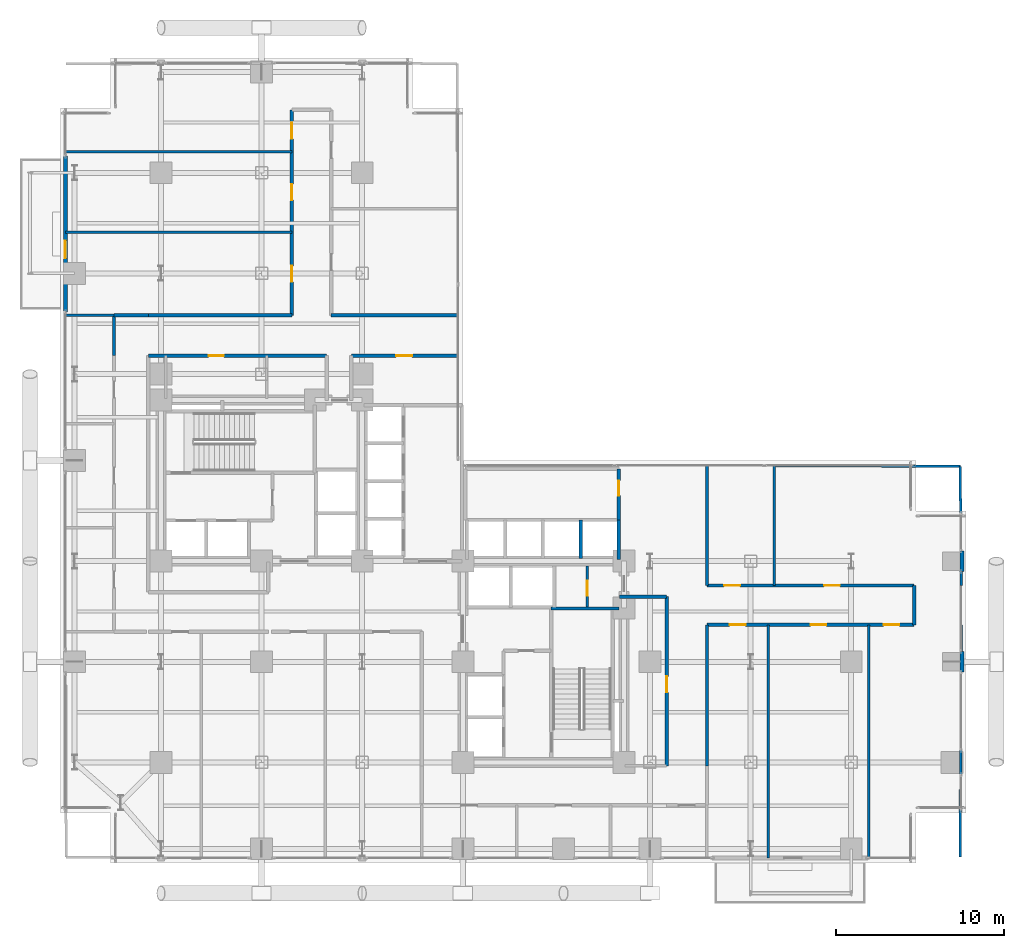
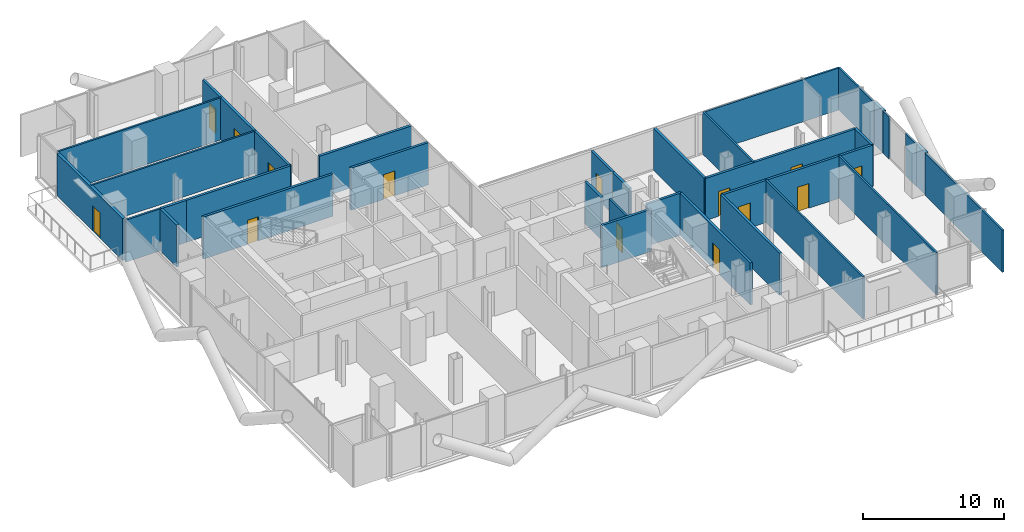
# One storey, part 23 of 27: 33 walls, 14 doors, 14 openings.
"""IFC4 building model written with IfcOpenShell, lengths in metres."""

import ifcopenshell
import ifcopenshell.guid

model = None  # the IFC model being written
_history = None  # IfcOwnerHistory: only IFC2X3 demands one
_inside = {}  # id of a spatial element -> (the spatial element, [elements in it])
_under = {}  # id of a project, library or spatial element -> (it, [spatial elements below it])
_declared = {}  # id of a project -> (the project, [libraries it declares])
_typed = {}  # id of a type object -> (the type object, [elements of that type])
_made_of = {}  # id of a material, layer set ... -> (it, [elements and type objects made of it])


def new_model(schema):
    """Start an empty IFC model of exactly this schema.

    Asked for "IFC4X3", IfcOpenShell would pick the latest addendum, in which some entities
    have other attributes; the version numbers below select the first issue.
    IFC2X3 requires an IfcOwnerHistory on every rooted entity: one is made here for all.
    """
    global model, _history
    if schema == "IFC4X3":
        model = ifcopenshell.file(schema_version=(4, 3, 0, 0))
    else:
        model = ifcopenshell.file(schema=schema)
    _inside.clear()
    _under.clear()
    _declared.clear()
    _typed.clear()
    _made_of.clear()
    _history = None
    if model.schema == "IFC2X3":
        org = make("IfcOrganization", Name="unknown")
        user = make(
            "IfcPersonAndOrganization",
            ThePerson=make("IfcPerson", FamilyName="unknown"),
            TheOrganization=org,
        )
        app = make(
            "IfcApplication",
            ApplicationDeveloper=org,
            Version="unknown",
            ApplicationFullName="unknown",
            ApplicationIdentifier="unknown",
        )
        _history = make(
            "IfcOwnerHistory",
            OwningUser=user,
            OwningApplication=app,
            ChangeAction="ADDED",
            CreationDate=0,
        )
    return model


def make(cls, **values):
    """One entity of the class cls with the attributes given. An attribute that is None is left unset."""
    return model.create_entity(
        cls, **{name: value for name, value in values.items() if value is not None}
    )


def rooted(cls, **values):
    """An entity with a GlobalId (a new one), such as an element, a storey or a relation."""
    return make(cls, GlobalId=ifcopenshell.guid.new(), OwnerHistory=_history, **values)


def si_unit(unit_type, name, prefix=None):
    """IfcSIUnit, for example si_unit("LENGTHUNIT", "METRE", prefix="MILLI")."""
    return make("IfcSIUnit", UnitType=unit_type, Prefix=prefix, Name=name)


def assignment(units):
    """IfcUnitAssignment: the units of a project."""
    return None if units is None else make("IfcUnitAssignment", Units=units)


def point(xyz):
    """IfcCartesianPoint."""
    return None if xyz is None else make("IfcCartesianPoint", Coordinates=xyz)


def direction(xyz):
    """IfcDirection."""
    return None if xyz is None else make("IfcDirection", DirectionRatios=xyz)


def frame(location, z_axis=None, x_axis=None):
    """IfcAxis2Placement3D, a coordinate frame: its origin and axes. An axis left out is left unset."""
    return make(
        "IfcAxis2Placement3D",
        Location=point(location),
        Axis=direction(z_axis),
        RefDirection=direction(x_axis),
    )


def frame_2d(location, x_axis=None):
    """IfcAxis2Placement2D, a coordinate frame in the plane: its origin and x axis."""
    return make(
        "IfcAxis2Placement2D", Location=point(location), RefDirection=direction(x_axis)
    )


def origin():
    """The frame at (0, 0, 0) with its axes left unset."""
    return frame((0.0, 0.0, 0.0))


def place(relative_to, where):
    """IfcLocalPlacement: puts the frame where relative to a parent placement (None: the world)."""
    return make(
        "IfcLocalPlacement", PlacementRelTo=relative_to, RelativePlacement=where
    )


def context(
    kind, dimensions, precision=None, world=None, true_north=None, identifier=None
):
    """IfcGeometricRepresentationContext, for example the 3D "Model" context."""
    return make(
        "IfcGeometricRepresentationContext",
        ContextIdentifier=identifier,
        ContextType=kind,
        CoordinateSpaceDimension=dimensions,
        Precision=precision,
        WorldCoordinateSystem=world,
        TrueNorth=true_north,
    )


def subcontext(parent, identifier, kind, view, scale=None):
    """IfcGeometricRepresentationSubContext, for example "Body" below "Model"."""
    return make(
        "IfcGeometricRepresentationSubContext",
        ContextIdentifier=identifier,
        ContextType=kind,
        ParentContext=parent,
        TargetScale=scale,
        TargetView=view,
    )


def project(units=None, contexts=None):
    """IfcProject with its units and contexts."""
    return rooted(
        "IfcProject",
        Name="project",
        RepresentationContexts=contexts,
        UnitsInContext=assignment(units),
    )


def spatial(cls, under=None, at=None, **own):
    """A site, building, storey or space (cls), placed at a placement, below another one or the project."""
    s = rooted(cls, ObjectPlacement=at, **own)
    if under is not None:
        _under.setdefault(under.id(), (under, []))[1].append(s)
    return s


def profile(cls, at=None, kind="AREA", **sizes):
    """A parametric profile (cls). Its sizes go by their IFC names, for example OverallWidth=200.0."""
    return make(cls, ProfileType=kind, Position=at, **sizes)


def rectangle(**sizes):
    """IfcRectangleProfileDef."""
    return profile("IfcRectangleProfileDef", **sizes)


def extrude(swept, where, along, depth):
    """IfcExtrudedAreaSolid: the profile swept, set in the frame where, extruded along a direction by depth."""
    return make(
        "IfcExtrudedAreaSolid",
        SweptArea=swept,
        Position=where,
        ExtrudedDirection=direction(along),
        Depth=depth,
    )


def shape(context_of_items, identifier, shape_type, items):
    """IfcShapeRepresentation: the items that make up one representation, for example the "Body"."""
    return make(
        "IfcShapeRepresentation",
        ContextOfItems=context_of_items,
        RepresentationIdentifier=identifier,
        RepresentationType=shape_type,
        Items=items,
    )


def material(Name=None, Category=None):
    """IfcMaterial."""
    return make("IfcMaterial", Name=Name, Category=Category)


def layer(
    of_material, thickness, ventilated=None, Name=None, Category=None, Priority=None
):
    """IfcMaterialLayer: one layer of a wall or slab, of a material (None: an air gap)."""
    return make(
        "IfcMaterialLayer",
        Material=of_material,
        LayerThickness=thickness,
        IsVentilated=ventilated,
        Name=Name,
        Category=Category,
        Priority=Priority,
    )


def layer_set(layers, Name=None):
    """IfcMaterialLayerSet."""
    return make("IfcMaterialLayerSet", MaterialLayers=layers, LayerSetName=Name)


def made_of(thing, what):
    """Note that an element or type object is made of a material, layer set ...; save() writes the relation."""
    if what is not None:
        _made_of.setdefault(what.id(), (what, []))[1].append(thing)
    return thing


def type_object(cls, material=None, **own):
    """A type object (cls), such as IfcWallType, which elements share."""
    return made_of(rooted(cls, **own), material)


def element(
    cls,
    number,
    at=None,
    inside=None,
    cuts=None,
    type_object=None,
    material=None,
    context=None,
    identifier="Body",
    shape_type=None,
    held_by="IfcProductDefinitionShape",
    body=None,
    shapes=None,
    **own,
):
    """One element of the class cls, such as IfcWall. Its Tag is "e" and its number.

    at: its placement. inside: the storey or other place that contains it. cuts: it is an
    opening in that element (IfcRelVoidsElement). A single representation is given by context,
    identifier, shape_type and body (its items); several are given by shapes. held_by: the class
    of the entity that holds the representations. save() writes the other relations.
    """
    e = rooted(cls, Tag="e%d" % number, ObjectPlacement=at, **own)
    if body is not None:
        shapes = [shape(context, identifier, shape_type, body)]
    if shapes is not None:
        e.Representation = make(held_by, Representations=shapes)
    if inside is not None:
        _inside.setdefault(inside.id(), (inside, []))[1].append(e)
    if cuts is not None:
        rooted(
            "IfcRelVoidsElement", RelatingBuildingElement=cuts, RelatedOpeningElement=e
        )
    if type_object is not None:
        _typed.setdefault(type_object.id(), (type_object, []))[1].append(e)
    return made_of(e, material)


def fill(opening, filler):
    """IfcRelFillsElement: the door or window that sits in an opening."""
    return rooted(
        "IfcRelFillsElement",
        RelatingOpeningElement=opening,
        RelatedBuildingElement=filler,
    )


def aggregate(whole, parts):
    """IfcRelAggregates: a whole, such as a stair, and the parts it consists of."""
    return rooted("IfcRelAggregates", RelatingObject=whole, RelatedObjects=parts)


def save(model, path):
    """Write the relations noted so far, then the file.

    IfcRelAggregates (storeys below a building ...), IfcRelContainedInSpatialStructure (elements
    in a storey), IfcRelDefinesByType, IfcRelAssociatesMaterial and IfcRelDeclares: one each for
    every whole, place, type object, material and project.
    """
    for whole, parts in _under.values():
        aggregate(whole, parts)
    for where, things in _inside.values():
        rooted(
            "IfcRelContainedInSpatialStructure",
            RelatedElements=things,
            RelatingStructure=where,
        )
    for kind, things in _typed.values():
        rooted("IfcRelDefinesByType", RelatedObjects=things, RelatingType=kind)
    for what, things in _made_of.values():
        rooted("IfcRelAssociatesMaterial", RelatedObjects=things, RelatingMaterial=what)
    for by, libraries in _declared.values():
        rooted("IfcRelDeclares", RelatingContext=by, RelatedDefinitions=libraries)
    model.write(path)


model = new_model("IFC4")

# Units and contexts
model_context = context("Model", 3, precision=1e-05, world=origin(), true_north=direction((0.0, 1.0)))
body_context = subcontext(model_context, "Body", "Model", "MODEL_VIEW")
ifc_project = project(units=[si_unit("LENGTHUNIT", "METRE"), si_unit("AREAUNIT", "SQUARE_METRE"), si_unit("VOLUMEUNIT", "CUBIC_METRE"), si_unit("PLANEANGLEUNIT", "RADIAN"), si_unit("MASSUNIT", "GRAM", prefix="KILO"), si_unit("THERMODYNAMICTEMPERATUREUNIT", "KELVIN"), si_unit("POWERUNIT", "WATT")], contexts=[model_context])

# Site, building, storey
site_placement = place(None, origin())
site = spatial("IfcSite", under=ifc_project, at=site_placement, CompositionType="ELEMENT")
building_placement = place(site_placement, origin())
building = spatial("IfcBuilding", under=site, at=building_placement, Name="Svarakhadi Broadcast Tower", CompositionType="ELEMENT")
storey_placement = place(building_placement, frame((0.0, 0.0, 59.699951171875)))
storey = spatial("IfcBuildingStorey", under=building, at=storey_placement, Name="L13", CompositionType="ELEMENT", Elevation=59.699951171875)

# Wall, opening, door
ifc_material_1 = material(Name="Concrete C40/50 (IS 456 M50)", Category="concrete")
ifc_layer_1 = layer(ifc_material_1, 0.239990234375)
ifc_layer_set_1 = layer_set([ifc_layer_1], Name="Concrete C40/50 (IS 456 M50)")
wall_type_1 = type_object("IfcWallType", Name="Wall_Ext_240", PredefinedType="SOLIDWALL", material=ifc_layer_set_1)
wall_1_placement = place(storey_placement, frame((0.300048828125, 32.85498046875, 0.0), z_axis=(0.0, 0.0, 1.0), x_axis=(0.0, 1.0, 0.0)))
wall_1 = element("IfcWall", 1, at=wall_1_placement, inside=storey, type_object=wall_type_1, Name="L13 West Tree Balcony Spandrel Wall", PredefinedType="SOLIDWALL", context=body_context, shape_type="SweptSolid", body=[
    extrude(rectangle(XDim=9.2900390625, YDim=0.239990234375, at=frame_2d((4.64501953125, 0.0))), origin(), (0.0, 0.0, 1.0), 3.650146484375),
])
opening_1_placement = place(wall_1_placement, frame((3.199951171875, 0.0, 0.0)))
opening_1 = element("IfcOpeningElement", 2, at=opening_1_placement, cuts=wall_1, Name="Opening ED-06", PredefinedType="OPENING", context=body_context, shape_type="SweptSolid", body=[
    extrude(rectangle(XDim=1.050048828125, YDim=2.199951171875, at=frame_2d((0.52490234375, 1.10009765625))), frame((0.0, 0.1298828125, 0.0), z_axis=(0.0, -1.0, 0.0), x_axis=(1.0, 0.0, 0.0)), (0.0, 0.0, 1.0), 0.260009765625),
])
ifc_material_2 = material(Name="Anodised Bronze Aluminium AA 6063-T6", Category="aluminium")
door_type_1 = type_object("IfcDoorType", Name="Door_Ext_ED06", OperationType="SINGLE_SWING_RIGHT", PredefinedType="DOOR", material=ifc_material_2)
door_1_placement = place(opening_1_placement, origin())
door_1 = element("IfcDoor", 3, at=door_1_placement, inside=storey, type_object=door_type_1, Name="L13 West Tree Balcony Door", OperationType="SINGLE_SWING_RIGHT", OverallHeight=2.199951171875, OverallWidth=1.050048828125, PredefinedType="DOOR", context=body_context, shape_type="SweptSolid", body=[
    extrude(rectangle(XDim=1.050048828125, YDim=2.199951171875, at=frame_2d((0.52490234375, 1.10009765625))), frame((0.0, 0.02490234375, 0.0), z_axis=(0.0, -1.0, 0.0), x_axis=(1.0, 0.0, 0.0)), (0.0, 0.0, 1.0), 0.050048828125),
])
fill(opening_1, door_1)

# Walls
for number, where, z_axis, x_axis, name in (
    (4, (53.760009765625, 18.614990234375, 0.0), (0.0, 0.0, 1.0), (0.0, -1.0, 0.0), "L13 Perimeter Bronze Spandrel Closure Wall 03"),
    (5, (53.760009765625, 12.614990234375, 0.0), (0.0, 0.0, 1.0), (0.0, -1.0, 0.0), "L13 Perimeter Bronze Spandrel Closure Wall 04"),
):
    element("IfcWall", number, at=place(storey_placement, frame(where, z_axis=z_axis, x_axis=x_axis)), inside=storey, type_object=wall_type_1, Name=name, PredefinedType="SOLIDWALL", context=body_context, shape_type="SweptSolid", body=[
        extrude(rectangle(XDim=1.22998046875, YDim=0.239990234375, at=frame_2d((0.614990234375, 0.0))), origin(), (0.0, 0.0, 1.0), 3.650146484375),
    ])

# Wall, opening, door
ifc_layer_2 = layer(ifc_material_1, 0.199951171875)
ifc_layer_set_2 = layer_set([ifc_layer_2], Name="Concrete C40/50 (IS 456 M50)")
wall_type_2 = type_object("IfcWallType", Name="Wall_Fire_200", PredefinedType="SOLIDWALL", material=ifc_layer_set_2)
wall_2_placement = place(storey_placement, frame((36.14990234375, 5.800048828125, 0.0), z_axis=(0.0, 0.0, 1.0), x_axis=(0.0, 1.0, 0.0)))
wall_2 = element("IfcWall", 6, at=wall_2_placement, inside=storey, type_object=wall_type_2, Name="L13 Broadcast Corridor Wall", PredefinedType="SOLIDWALL", context=body_context, shape_type="SweptSolid", body=[
    extrude(rectangle(XDim=10.079833984375, YDim=0.199951171875, at=frame_2d((5.0400390625, 0.0))), origin(), (0.0, 0.0, 1.0), 3.650146484375),
])
opening_2_placement = place(wall_2_placement, frame((4.3798828125, 0.0, 0.0)))
opening_2 = element("IfcOpeningElement", 7, at=opening_2_placement, cuts=wall_2, Name="Opening D-06", PredefinedType="OPENING", context=body_context, shape_type="SweptSolid", body=[
    extrude(rectangle(XDim=0.949951171875, YDim=2.14990234375, at=frame_2d((0.47509765625, 1.074951171875))), frame((0.0, 0.10986328125, 0.0), z_axis=(0.0, -1.0, 0.0), x_axis=(1.0, 0.0, 0.0)), (0.0, 0.0, 1.0), 0.219970703125),
])
ifc_material_3 = material(Name="Solid-Core Teak Veneer Acoustic Timber Leaf", Category="wood")
door_type_2 = type_object("IfcDoorType", Name="Door_Office_D06", OperationType="SINGLE_SWING_LEFT", PredefinedType="DOOR", material=ifc_material_3)
door_2_placement = place(opening_2_placement, origin())
door_2 = element("IfcDoor", 8, at=door_2_placement, inside=storey, type_object=door_type_2, Name="L13 Live Feed Monitoring Studio Door", OperationType="SINGLE_SWING_LEFT", OverallHeight=2.14990234375, OverallWidth=0.949951171875, PredefinedType="DOOR", context=body_context, shape_type="SweptSolid", body=[
    extrude(rectangle(XDim=0.949951171875, YDim=2.14990234375, at=frame_2d((0.47509765625, 1.074951171875))), frame((0.0, 0.02490234375, 0.0), z_axis=(0.0, -1.0, 0.0), x_axis=(1.0, 0.0, 0.0)), (0.0, 0.0, 1.0), 0.050048828125),
])
fill(opening_2, door_2)

# Walls
wall_3_placement = place(storey_placement, frame((36.14990234375, 15.8798828125, 0.0), z_axis=(0.0, 0.0, 1.0), x_axis=(-1.0, 0.0, 0.0)))
element("IfcWall", 9, at=wall_3_placement, inside=storey, type_object=wall_type_2, Name="L13 Broadcast Corridor Wall", PredefinedType="SOLIDWALL", context=body_context, shape_type="SweptSolid", body=[
    extrude(rectangle(XDim=2.809814453125, YDim=0.199951171875, at=frame_2d((1.40478515625, 0.0))), origin(), (0.0, 0.0, 1.0), 3.650146484375),
])
wall_4_placement = place(storey_placement, frame((38.550048828125, 23.699951171875, 0.0), z_axis=(0.0, 0.0, 1.0), x_axis=(0.0, -1.0, 0.0)))
element("IfcWall", 10, at=wall_4_placement, inside=storey, type_object=wall_type_2, Name="L13 Broadcast Corridor Wall", PredefinedType="SOLIDWALL", context=body_context, shape_type="SweptSolid", body=[
    extrude(rectangle(XDim=7.14990234375, YDim=0.199951171875, at=frame_2d((3.574951171875, 0.0))), origin(), (0.0, 0.0, 1.0), 3.650146484375),
])

# Wall, openings, doors
wall_5_placement = place(storey_placement, frame((38.550048828125, 16.550048828125, 0.0), z_axis=(0.0, 0.0, 1.0), x_axis=(1.0, 0.0, 0.0)))
wall_5 = element("IfcWall", 11, at=wall_5_placement, inside=storey, type_object=wall_type_2, Name="L13 Broadcast Corridor Wall", PredefinedType="SOLIDWALL", context=body_context, shape_type="SweptSolid", body=[
    extrude(rectangle(XDim=12.349853515625, YDim=0.199951171875, at=frame_2d((6.1748046875, 0.0))), origin(), (0.0, 0.0, 1.0), 3.650146484375),
])
opening_3_placement = place(wall_5_placement, frame((1.030029296875, 0.0, 0.0)))
opening_3 = element("IfcOpeningElement", 12, at=opening_3_placement, cuts=wall_5, Name="Opening D-06", PredefinedType="OPENING", context=body_context, shape_type="SweptSolid", body=[
    extrude(rectangle(XDim=0.949951171875, YDim=2.14990234375, at=frame_2d((0.47509765625, 1.074951171875))), frame((0.0, 0.10986328125, 0.0), z_axis=(0.0, -1.0, 0.0), x_axis=(1.0, 0.0, 0.0)), (0.0, 0.0, 1.0), 0.219970703125),
])
opening_4_placement = place(wall_5_placement, frame((6.97998046875, 0.0, 0.0)))
opening_4 = element("IfcOpeningElement", 13, at=opening_4_placement, cuts=wall_5, Name="Opening D-06", PredefinedType="OPENING", context=body_context, shape_type="SweptSolid", body=[
    extrude(rectangle(XDim=0.949951171875, YDim=2.14990234375, at=frame_2d((0.47509765625, 1.074951171875))), frame((0.0, 0.10986328125, 0.0), z_axis=(0.0, -1.0, 0.0), x_axis=(1.0, 0.0, 0.0)), (0.0, 0.0, 1.0), 0.219970703125),
])
door_3_placement = place(opening_3_placement, origin())
door_3 = element("IfcDoor", 14, at=door_3_placement, inside=storey, type_object=door_type_2, Name="L13 Broadcast Acoustic Booth Door", OperationType="SINGLE_SWING_LEFT", OverallHeight=2.14990234375, OverallWidth=0.949951171875, PredefinedType="DOOR", context=body_context, shape_type="SweptSolid", body=[
    extrude(rectangle(XDim=0.949951171875, YDim=2.14990234375, at=frame_2d((0.47509765625, 1.074951171875))), frame((0.0, 0.02490234375, 0.0), z_axis=(0.0, -1.0, 0.0), x_axis=(1.0, 0.0, 0.0)), (0.0, 0.0, 1.0), 0.050048828125),
])
fill(opening_3, door_3)
door_4_placement = place(opening_4_placement, origin())
door_4 = element("IfcDoor", 15, at=door_4_placement, inside=storey, type_object=door_type_2, Name="L13 Broadcast Equipment Operations Room Door", OperationType="SINGLE_SWING_LEFT", OverallHeight=2.14990234375, OverallWidth=0.949951171875, PredefinedType="DOOR", context=body_context, shape_type="SweptSolid", body=[
    extrude(rectangle(XDim=0.949951171875, YDim=2.14990234375, at=frame_2d((0.47509765625, 1.074951171875))), frame((0.0, 0.02490234375, 0.0), z_axis=(0.0, -1.0, 0.0), x_axis=(1.0, 0.0, 0.0)), (0.0, 0.0, 1.0), 0.050048828125),
])
fill(opening_4, door_4)

# Wall
wall_6_placement = place(storey_placement, frame((50.89990234375, 16.550048828125, 0.0), z_axis=(0.0, 0.0, 1.0), x_axis=(0.0, -1.0, 0.0)))
element("IfcWall", 16, at=wall_6_placement, inside=storey, type_object=wall_type_2, Name="L13 Broadcast Corridor Wall", PredefinedType="SOLIDWALL", context=body_context, shape_type="SweptSolid", body=[
    extrude(rectangle(XDim=2.35009765625, YDim=0.199951171875, at=frame_2d((1.175048828125, 0.0))), origin(), (0.0, 0.0, 1.0), 3.650146484375),
])

# Wall, openings, doors
wall_7_placement = place(storey_placement, frame((50.89990234375, 14.199951171875, 0.0), z_axis=(0.0, 0.0, 1.0), x_axis=(-1.0, 0.0, 0.0)))
wall_7 = element("IfcWall", 17, at=wall_7_placement, inside=storey, type_object=wall_type_2, Name="L13 Broadcast Corridor Wall", PredefinedType="SOLIDWALL", context=body_context, shape_type="SweptSolid", body=[
    extrude(rectangle(XDim=12.349853515625, YDim=0.199951171875, at=frame_2d((6.1748046875, 0.0))), origin(), (0.0, 0.0, 1.0), 3.650146484375),
])
opening_5_placement = place(wall_7_placement, frame((10.050048828125, 0.0, 0.0)))
opening_5 = element("IfcOpeningElement", 18, at=opening_5_placement, cuts=wall_7, Name="Opening D-06", PredefinedType="OPENING", context=body_context, shape_type="SweptSolid", body=[
    extrude(rectangle(XDim=0.949951171875, YDim=2.14990234375, at=frame_2d((0.47509765625, 1.074951171875))), frame((0.0, 0.10986328125, 0.0), z_axis=(0.0, -1.0, 0.0), x_axis=(1.0, 0.0, 0.0)), (0.0, 0.0, 1.0), 0.219970703125),
])
opening_6_placement = place(wall_7_placement, frame((5.22509765625, 0.0, 0.0)))
opening_6 = element("IfcOpeningElement", 19, at=opening_6_placement, cuts=wall_7, Name="Opening D-07", PredefinedType="OPENING", context=body_context, shape_type="SweptSolid", body=[
    extrude(rectangle(XDim=0.949951171875, YDim=2.14990234375, at=frame_2d((0.47509765625, 1.074951171875))), frame((0.0, 0.10986328125, 0.0), z_axis=(0.0, -1.0, 0.0), x_axis=(1.0, 0.0, 0.0)), (0.0, 0.0, 1.0), 0.219970703125),
])
opening_7_placement = place(wall_7_placement, frame((0.875, 0.0, 0.0)))
opening_7 = element("IfcOpeningElement", 20, at=opening_7_placement, cuts=wall_7, Name="Opening D-06", PredefinedType="OPENING", context=body_context, shape_type="SweptSolid", body=[
    extrude(rectangle(XDim=0.949951171875, YDim=2.14990234375, at=frame_2d((0.47509765625, 1.074951171875))), frame((0.0, 0.10986328125, 0.0), z_axis=(0.0, -1.0, 0.0), x_axis=(1.0, 0.0, 0.0)), (0.0, 0.0, 1.0), 0.219970703125),
])
door_5_placement = place(opening_5_placement, origin())
door_5 = element("IfcDoor", 21, at=door_5_placement, inside=storey, type_object=door_type_2, Name="L13 Academic Faculty Office Door", OperationType="SINGLE_SWING_LEFT", OverallHeight=2.14990234375, OverallWidth=0.949951171875, PredefinedType="DOOR", context=body_context, shape_type="SweptSolid", body=[
    extrude(rectangle(XDim=0.949951171875, YDim=2.14990234375, at=frame_2d((0.47509765625, 1.074951171875))), frame((0.0, 0.02490234375, 0.0), z_axis=(0.0, -1.0, 0.0), x_axis=(1.0, 0.0, 0.0)), (0.0, 0.0, 1.0), 0.050048828125),
])
fill(opening_5, door_5)
door_6_placement = place(opening_7_placement, origin())
door_6 = element("IfcDoor", 22, at=door_6_placement, inside=storey, type_object=door_type_2, Name="L13 Training Gear Store Door", OperationType="SINGLE_SWING_LEFT", OverallHeight=2.14990234375, OverallWidth=0.949951171875, PredefinedType="DOOR", context=body_context, shape_type="SweptSolid", body=[
    extrude(rectangle(XDim=0.949951171875, YDim=2.14990234375, at=frame_2d((0.47509765625, 1.074951171875))), frame((0.0, 0.02490234375, 0.0), z_axis=(0.0, -1.0, 0.0), x_axis=(1.0, 0.0, 0.0)), (0.0, 0.0, 1.0), 0.050048828125),
])
fill(opening_7, door_6)
door_type_3 = type_object("IfcDoorType", Name="Door_Office_D07", OperationType="SINGLE_SWING_RIGHT", PredefinedType="DOOR", material=ifc_material_3)
door_7_placement = place(opening_6_placement, origin())
door_7 = element("IfcDoor", 23, at=door_7_placement, inside=storey, type_object=door_type_3, Name="L13 Camera Workshop Room Door", OperationType="SINGLE_SWING_RIGHT", OverallHeight=2.14990234375, OverallWidth=0.949951171875, PredefinedType="DOOR", context=body_context, shape_type="SweptSolid", body=[
    extrude(rectangle(XDim=0.949951171875, YDim=2.14990234375, at=frame_2d((0.47509765625, 1.074951171875))), frame((0.0, 0.02490234375, 0.0), z_axis=(0.0, -1.0, 0.0), x_axis=(1.0, 0.0, 0.0)), (0.0, 0.0, 1.0), 0.050048828125),
])
fill(opening_6, door_7)

# Walls
wall_8_placement = place(storey_placement, frame((38.550048828125, 14.199951171875, 0.0), z_axis=(0.0, 0.0, 1.0), x_axis=(0.0, -1.0, 0.0)))
element("IfcWall", 24, at=wall_8_placement, inside=storey, type_object=wall_type_2, Name="L13 Broadcast Corridor Wall", PredefinedType="SOLIDWALL", context=body_context, shape_type="SweptSolid", body=[
    extrude(rectangle(XDim=8.39990234375, YDim=0.199951171875, at=frame_2d((4.199951171875, 0.0))), origin(), (0.0, 0.0, 1.0), 3.650146484375),
])
wall_9_placement = place(storey_placement, frame((3.199951171875, 30.25, 0.0), z_axis=(0.0, 0.0, 1.0), x_axis=(0.0, 1.0, 0.0)))
element("IfcWall", 25, at=wall_9_placement, inside=storey, type_object=wall_type_2, Name="L13 Broadcast Corridor Wall", PredefinedType="SOLIDWALL", context=body_context, shape_type="SweptSolid", body=[
    extrude(rectangle(XDim=2.39990234375, YDim=0.199951171875, at=frame_2d((1.199951171875, 0.0))), origin(), (0.0, 0.0, 1.0), 3.650146484375),
])
wall_10_placement = place(storey_placement, frame((3.199951171875, 32.64990234375, 0.0), z_axis=(0.0, 0.0, 1.0), x_axis=(1.0, 0.0, 0.0)))
element("IfcWall", 26, at=wall_10_placement, inside=storey, type_object=wall_type_2, Name="L13 Broadcast Corridor Wall", PredefinedType="SOLIDWALL", context=body_context, shape_type="SweptSolid", body=[
    extrude(rectangle(XDim=2.050048828125, YDim=0.199951171875, at=frame_2d((1.02490234375, 0.0))), origin(), (0.0, 0.0, 1.0), 3.650146484375),
])
wall_11_placement = place(storey_placement, frame((5.25, 32.64990234375, 0.0), z_axis=(0.0, 0.0, 1.0), x_axis=(1.0, 0.0, 0.0)))
element("IfcWall", 27, at=wall_11_placement, inside=storey, type_object=wall_type_2, Name="L13 Broadcast Corridor Wall", PredefinedType="SOLIDWALL", context=body_context, shape_type="SweptSolid", body=[
    extrude(rectangle(XDim=8.550048828125, YDim=0.199951171875, at=frame_2d((4.27490234375, 0.0))), origin(), (0.0, 0.0, 1.0), 3.650146484375),
])

# Wall, openings, doors
wall_12_placement = place(storey_placement, frame((13.800048828125, 32.64990234375, 0.0), z_axis=(0.0, 0.0, 1.0), x_axis=(0.0, 1.0, 0.0)))
wall_12 = element("IfcWall", 28, at=wall_12_placement, inside=storey, type_object=wall_type_2, Name="L13 Broadcast Corridor Wall", PredefinedType="SOLIDWALL", context=body_context, shape_type="SweptSolid", body=[
    extrude(rectangle(XDim=12.25, YDim=0.199951171875, at=frame_2d((6.125, 0.0))), origin(), (0.0, 0.0, 1.0), 3.650146484375),
])
opening_8_placement = place(wall_12_placement, frame((2.0, 0.0, 0.0)))
opening_8 = element("IfcOpeningElement", 29, at=opening_8_placement, cuts=wall_12, Name="Opening D-06", PredefinedType="OPENING", context=body_context, shape_type="SweptSolid", body=[
    extrude(rectangle(XDim=0.949951171875, YDim=2.14990234375, at=frame_2d((0.47509765625, 1.074951171875))), frame((0.0, 0.10986328125, 0.0), z_axis=(0.0, -1.0, 0.0), x_axis=(1.0, 0.0, 0.0)), (0.0, 0.0, 1.0), 0.219970703125),
])
opening_9_placement = place(wall_12_placement, frame((6.875, 0.0, 0.0)))
opening_9 = element("IfcOpeningElement", 30, at=opening_9_placement, cuts=wall_12, Name="Opening D-07", PredefinedType="OPENING", context=body_context, shape_type="SweptSolid", body=[
    extrude(rectangle(XDim=0.949951171875, YDim=2.14990234375, at=frame_2d((0.47509765625, 1.074951171875))), frame((0.0, 0.10986328125, 0.0), z_axis=(0.0, -1.0, 0.0), x_axis=(1.0, 0.0, 0.0)), (0.0, 0.0, 1.0), 0.219970703125),
])
opening_10_placement = place(wall_12_placement, frame((10.52490234375, 0.0, 0.0)))
opening_10 = element("IfcOpeningElement", 31, at=opening_10_placement, cuts=wall_12, Name="Opening D-06", PredefinedType="OPENING", context=body_context, shape_type="SweptSolid", body=[
    extrude(rectangle(XDim=0.949951171875, YDim=2.14990234375, at=frame_2d((0.47509765625, 1.074951171875))), frame((0.0, 0.10986328125, 0.0), z_axis=(0.0, -1.0, 0.0), x_axis=(1.0, 0.0, 0.0)), (0.0, 0.0, 1.0), 0.219970703125),
])
door_8_placement = place(opening_8_placement, origin())
door_8 = element("IfcDoor", 32, at=door_8_placement, inside=storey, type_object=door_type_2, Name="L13 Roundtable Symposium Room Door", OperationType="SINGLE_SWING_LEFT", OverallHeight=2.14990234375, OverallWidth=0.949951171875, PredefinedType="DOOR", context=body_context, shape_type="SweptSolid", body=[
    extrude(rectangle(XDim=0.949951171875, YDim=2.14990234375, at=frame_2d((0.47509765625, 1.074951171875))), frame((0.0, 0.02490234375, 0.0), z_axis=(0.0, -1.0, 0.0), x_axis=(1.0, 0.0, 0.0)), (0.0, 0.0, 1.0), 0.050048828125),
])
fill(opening_8, door_8)
door_9_placement = place(opening_10_placement, origin())
door_9 = element("IfcDoor", 33, at=door_9_placement, inside=storey, type_object=door_type_2, Name="L13 Media Reference Study Door", OperationType="SINGLE_SWING_LEFT", OverallHeight=2.14990234375, OverallWidth=0.949951171875, PredefinedType="DOOR", context=body_context, shape_type="SweptSolid", body=[
    extrude(rectangle(XDim=0.949951171875, YDim=2.14990234375, at=frame_2d((0.47509765625, 1.074951171875))), frame((0.0, 0.02490234375, 0.0), z_axis=(0.0, -1.0, 0.0), x_axis=(1.0, 0.0, 0.0)), (0.0, 0.0, 1.0), 0.050048828125),
])
fill(opening_10, door_9)
door_10_placement = place(opening_9_placement, origin())
door_10 = element("IfcDoor", 34, at=door_10_placement, inside=storey, type_object=door_type_3, Name="L13 Delegate Coffee Lounge Door", OperationType="SINGLE_SWING_RIGHT", OverallHeight=2.14990234375, OverallWidth=0.949951171875, PredefinedType="DOOR", context=body_context, shape_type="SweptSolid", body=[
    extrude(rectangle(XDim=0.949951171875, YDim=2.14990234375, at=frame_2d((0.47509765625, 1.074951171875))), frame((0.0, 0.02490234375, 0.0), z_axis=(0.0, -1.0, 0.0), x_axis=(1.0, 0.0, 0.0)), (0.0, 0.0, 1.0), 0.050048828125),
])
fill(opening_9, door_10)

# Wall
wall_13_placement = place(storey_placement, frame((16.14990234375, 32.64990234375, 0.0), z_axis=(0.0, 0.0, 1.0), x_axis=(1.0, 0.0, 0.0)))
element("IfcWall", 35, at=wall_13_placement, inside=storey, type_object=wall_type_2, Name="L13 Broadcast Corridor Wall", PredefinedType="SOLIDWALL", context=body_context, shape_type="SweptSolid", body=[
    extrude(rectangle(XDim=7.550048828125, YDim=0.199951171875, at=frame_2d((3.77490234375, 0.0))), origin(), (0.0, 0.0, 1.0), 3.650146484375),
])

# Wall, opening, door
wall_14_placement = place(storey_placement, frame((23.699951171875, 30.25, 0.0), z_axis=(0.0, 0.0, 1.0), x_axis=(-1.0, 0.0, 0.0)))
wall_14 = element("IfcWall", 36, at=wall_14_placement, inside=storey, type_object=wall_type_2, Name="L13 Broadcast Corridor Wall", PredefinedType="SOLIDWALL", context=body_context, shape_type="SweptSolid", body=[
    extrude(rectangle(XDim=6.349853515625, YDim=0.199951171875, at=frame_2d((3.1748046875, 0.0))), origin(), (0.0, 0.0, 1.0), 3.650146484375),
])
opening_11_placement = place(wall_14_placement, frame((2.72509765625, 0.0, 0.0)))
opening_11 = element("IfcOpeningElement", 37, at=opening_11_placement, cuts=wall_14, Name="Opening D-07", PredefinedType="OPENING", context=body_context, shape_type="SweptSolid", body=[
    extrude(rectangle(XDim=0.949951171875, YDim=2.14990234375, at=frame_2d((0.47509765625, 1.074951171875))), frame((0.0, 0.10986328125, 0.0), z_axis=(0.0, -1.0, 0.0), x_axis=(1.0, 0.0, 0.0)), (0.0, 0.0, 1.0), 0.219970703125),
])
door_11_placement = place(opening_11_placement, origin())
door_11 = element("IfcDoor", 38, at=door_11_placement, inside=storey, type_object=door_type_3, Name="L13 Production Continuity Office Door", OperationType="SINGLE_SWING_RIGHT", OverallHeight=2.14990234375, OverallWidth=0.949951171875, PredefinedType="DOOR", context=body_context, shape_type="SweptSolid", body=[
    extrude(rectangle(XDim=0.949951171875, YDim=2.14990234375, at=frame_2d((0.47509765625, 1.074951171875))), frame((0.0, 0.02490234375, 0.0), z_axis=(0.0, -1.0, 0.0), x_axis=(1.0, 0.0, 0.0)), (0.0, 0.0, 1.0), 0.050048828125),
])
fill(opening_11, door_11)

wall_15_placement = place(storey_placement, frame((15.8798828125, 30.25, 0.0), z_axis=(0.0, 0.0, 1.0), x_axis=(-1.0, 0.0, 0.0)))
wall_15 = element("IfcWall", 39, at=wall_15_placement, inside=storey, type_object=wall_type_2, Name="L13 Broadcast Corridor Wall", PredefinedType="SOLIDWALL", context=body_context, shape_type="SweptSolid", body=[
    extrude(rectangle(XDim=10.6298828125, YDim=0.199951171875, at=frame_2d((5.31494140625, 0.0))), origin(), (0.0, 0.0, 1.0), 3.650146484375),
])
opening_12_placement = place(wall_15_placement, frame((6.1298828125, 0.0, 0.0)))
opening_12 = element("IfcOpeningElement", 40, at=opening_12_placement, cuts=wall_15, Name="Opening D-12", PredefinedType="OPENING", context=body_context, shape_type="SweptSolid", body=[
    extrude(rectangle(XDim=0.89990234375, YDim=2.10009765625, at=frame_2d((0.449951171875, 1.050048828125))), frame((0.0, 0.10986328125, 0.0), z_axis=(0.0, -1.0, 0.0), x_axis=(1.0, 0.0, 0.0)), (0.0, 0.0, 1.0), 0.219970703125),
])
door_type_4 = type_object("IfcDoorType", Name="Door_WC_D01", OperationType="SINGLE_SWING_LEFT", PredefinedType="DOOR", material=ifc_material_3)
door_12_placement = place(opening_12_placement, origin())
door_12 = element("IfcDoor", 41, at=door_12_placement, inside=storey, type_object=door_type_4, Name="L13 Accessible Toilet WC Door", OperationType="SINGLE_SWING_LEFT", OverallHeight=2.10009765625, OverallWidth=0.89990234375, PredefinedType="DOOR", context=body_context, shape_type="SweptSolid", body=[
    extrude(rectangle(XDim=0.89990234375, YDim=2.10009765625, at=frame_2d((0.449951171875, 1.050048828125))), frame((0.0, 0.02490234375, 0.0), z_axis=(0.0, -1.0, 0.0), x_axis=(1.0, 0.0, 0.0)), (0.0, 0.0, 1.0), 0.050048828125),
])
fill(opening_12, door_12)

ifc_material_4 = material(Name="Autoclaved Aerated Concrete Blockwork 150 mm", Category="masonry")
ifc_layer_3 = layer(ifc_material_4, 0.14990234375)
ifc_layer_set_3 = layer_set([ifc_layer_3], Name="Autoclaved Aerated Concrete Blockwork 150 mm")
wall_type_3 = type_object("IfcWallType", Name="Wall_Part_150", PredefinedType="PARTITIONING", material=ifc_layer_set_3)
wall_16_placement = place(storey_placement, frame((31.419921875, 15.280029296875, 0.0), z_axis=(0.0, 0.0, 1.0), x_axis=(0.0, 1.0, 0.0)))
wall_16 = element("IfcWall", 42, at=wall_16_placement, inside=storey, type_object=wall_type_3, Name="L13 Core Service Split Wall", PredefinedType="PARTITIONING", context=body_context, shape_type="SweptSolid", body=[
    extrude(rectangle(XDim=2.419921875, YDim=0.14990234375, at=frame_2d((1.2099609375, 0.0))), origin(), (0.0, 0.0, 1.0), 3.650146484375),
])
opening_13_placement = place(wall_16_placement, frame((0.64990234375, 0.0, 0.0)))
opening_13 = element("IfcOpeningElement", 43, at=opening_13_placement, cuts=wall_16, Name="Opening D-03", PredefinedType="OPENING", context=body_context, shape_type="SweptSolid", body=[
    extrude(rectangle(XDim=0.89990234375, YDim=2.14990234375, at=frame_2d((0.449951171875, 1.074951171875))), frame((0.0, 0.0849609375, 0.0), z_axis=(0.0, -1.0, 0.0), x_axis=(1.0, 0.0, 0.0)), (0.0, 0.0, 1.0), 0.169921875),
])
ifc_material_5 = material(Name="Galvanised Powder-Coated Fire-Rated Steel Leaf", Category="steel")
door_type_5 = type_object("IfcDoorType", Name="Door_Fire_D03", OperationType="SINGLE_SWING_LEFT", PredefinedType="DOOR", material=ifc_material_5)
door_13_placement = place(opening_13_placement, origin())
door_13 = element("IfcDoor", 44, at=door_13_placement, inside=storey, type_object=door_type_5, Name="L13 Core Inner Riser Store Door", OperationType="SINGLE_SWING_LEFT", OverallHeight=2.14990234375, OverallWidth=0.89990234375, PredefinedType="DOOR", context=body_context, shape_type="SweptSolid", body=[
    extrude(rectangle(XDim=0.89990234375, YDim=2.14990234375, at=frame_2d((0.449951171875, 1.074951171875))), frame((0.0, 0.02490234375, 0.0), z_axis=(0.0, -1.0, 0.0), x_axis=(1.0, 0.0, 0.0)), (0.0, 0.0, 1.0), 0.050048828125),
])
fill(opening_13, door_13)

# Walls
for number, where, z_axis, x_axis, name in (
    (45, (42.199951171875, 0.300048828125, 0.0), (0.0, 0.0, 1.0), (0.0, 1.0, 0.0), "L13 Academic Faculty Office Wall"),
    (46, (48.199951171875, 0.300048828125, 0.0), (0.0, 0.0, 1.0), (0.0, 1.0, 0.0), "L13 Camera Workshop Room Wall"),
):
    element("IfcWall", number, at=place(storey_placement, frame(where, z_axis=z_axis, x_axis=x_axis)), inside=storey, type_object=wall_type_3, Name=name, PredefinedType="PARTITIONING", context=body_context, shape_type="SweptSolid", body=[
        extrude(rectangle(XDim=13.89990234375, YDim=0.14990234375, at=frame_2d((6.949951171875, 0.0))), origin(), (0.0, 0.0, 1.0), 3.650146484375),
    ])
wall_17_placement = place(storey_placement, frame((53.64990234375, 0.35009765625, 0.0), z_axis=(0.0, 0.0, 1.0), x_axis=(0.003606251025, 0.999993497456, 0.0)))
element("IfcWall", 47, at=wall_17_placement, inside=storey, type_object=wall_type_3, Name="L13 Training Gear Store Wall", PredefinedType="PARTITIONING", context=body_context, shape_type="SweptSolid", body=[
    extrude(rectangle(XDim=11.034912109375, YDim=0.14990234375, at=frame_2d((5.517578125, 0.0))), origin(), (0.0, 0.0, 1.0), 3.650146484375),
])
wall_18_placement = place(storey_placement, frame((53.6943359375, 12.614990234375, 0.0), z_axis=(0.0, 0.0, 1.0), x_axis=(0.003542799701, 0.999993724265, 0.0)))
element("IfcWall", 48, at=wall_18_placement, inside=storey, type_object=wall_type_3, Name="L13 Training Gear Store Wall", PredefinedType="PARTITIONING", context=body_context, shape_type="SweptSolid", body=[
    extrude(rectangle(XDim=1.5849609375, YDim=0.14990234375, at=frame_2d((0.79248046875, 0.0))), origin(), (0.0, 0.0, 1.0), 3.650146484375),
])
wall_19_placement = place(storey_placement, frame((42.550048828125, 16.550048828125, 0.0), z_axis=(0.0, 0.0, 1.0), x_axis=(0.0, 1.0, 0.0)))
element("IfcWall", 49, at=wall_19_placement, inside=storey, type_object=wall_type_3, Name="L13 Broadcast Acoustic Booth Wall", PredefinedType="PARTITIONING", context=body_context, shape_type="SweptSolid", body=[
    extrude(rectangle(XDim=7.14990234375, YDim=0.14990234375, at=frame_2d((3.574951171875, 0.0))), origin(), (0.0, 0.0, 1.0), 3.650146484375),
])
wall_20_placement = place(storey_placement, frame((42.550048828125, 23.699951171875, 0.0), z_axis=(0.0, 0.0, 1.0), x_axis=(0.999989834782, -0.004508917104, 0.0)))
element("IfcWall", 50, at=wall_20_placement, inside=storey, type_object=wall_type_3, Name="L13 Broadcast Equipment Operations Room Wall", PredefinedType="PARTITIONING", context=body_context, shape_type="SweptSolid", body=[
    extrude(rectangle(XDim=11.099853515625, YDim=0.14990234375, at=frame_2d((5.5498046875, 0.0))), origin(), (0.0, 0.0, 1.0), 3.650146484375),
])
wall_21_placement = place(storey_placement, frame((53.699951171875, 16.550048828125, 0.0), z_axis=(0.0, 0.0, 1.0), x_axis=(-0.007017371073, 0.999975377948, 0.0)))
element("IfcWall", 51, at=wall_21_placement, inside=storey, type_object=wall_type_3, Name="L13 Broadcast Equipment Operations Room Wall", PredefinedType="PARTITIONING", context=body_context, shape_type="SweptSolid", body=[
    extrude(rectangle(XDim=0.8349609375, YDim=0.14990234375, at=frame_2d((0.41748046875, 0.0))), origin(), (0.0, 0.0, 1.0), 3.650146484375),
])
wall_22_placement = place(storey_placement, frame((53.685546875, 18.614990234375, 0.0), z_axis=(0.0, 0.0, 1.0), x_axis=(-0.007079296972, 0.999974941463, 0.0)))
element("IfcWall", 52, at=wall_22_placement, inside=storey, type_object=wall_type_3, Name="L13 Broadcast Equipment Operations Room Wall", PredefinedType="PARTITIONING", context=body_context, shape_type="SweptSolid", body=[
    extrude(rectangle(XDim=5.03515625, YDim=0.14990234375, at=frame_2d((2.517578125, 0.0))), origin(), (0.0, 0.0, 1.0), 3.650146484375),
])
for number, where, z_axis, x_axis, name in (
    (53, (0.300048828125, 37.60009765625, 0.0), (0.0, 0.0, 1.0), (1.0, 0.0, 0.0), "L13 Roundtable Symposium Room Wall"),
    (54, (0.300048828125, 42.39990234375, 0.0), (0.0, 0.0, 1.0), (1.0, 0.0, 0.0), "L13 Delegate Coffee Lounge Wall"),
):
    element("IfcWall", number, at=place(storey_placement, frame(where, z_axis=z_axis, x_axis=x_axis)), inside=storey, type_object=wall_type_3, Name=name, PredefinedType="PARTITIONING", context=body_context, shape_type="SweptSolid", body=[
        extrude(rectangle(XDim=13.5, YDim=0.14990234375, at=frame_2d((6.75, 0.0))), origin(), (0.0, 0.0, 1.0), 3.650146484375),
    ])
wall_23_placement = place(storey_placement, frame((0.300048828125, 32.64990234375, 0.0), z_axis=(0.0, 0.0, 1.0), x_axis=(1.0, 0.0, 0.0)))
element("IfcWall", 55, at=wall_23_placement, inside=storey, type_object=wall_type_3, Name="L13 Producer Quiet Lounge Wall", PredefinedType="PARTITIONING", context=body_context, shape_type="SweptSolid", body=[
    extrude(rectangle(XDim=2.89990234375, YDim=0.14990234375, at=frame_2d((1.449951171875, 0.0))), origin(), (0.0, 0.0, 1.0), 3.650146484375),
])
ifc_material_6 = material(Name="Concrete C50/60 (IS 456 M60)", Category="concrete")
ifc_layer_4 = layer(ifc_material_6, 0.199951171875)
ifc_layer_set_4 = layer_set([ifc_layer_4], Name="Concrete C50/60 (IS 456 M60)")
wall_type_4 = type_object("IfcWallType", Name="Wall_Shear_200", PredefinedType="SHEAR", material=ifc_layer_set_4)
wall_24_placement = place(storey_placement, frame((29.260009765625, 15.179931640625, 0.0), z_axis=(0.0, 0.0, 1.0), x_axis=(1.0, 0.0, 0.0)))
element("IfcWall", 56, at=wall_24_placement, inside=storey, type_object=wall_type_4, Name="L13 Stair ST-02 North RC Shaft Wall", PredefinedType="SHEAR", context=body_context, shape_type="SweptSolid", body=[
    extrude(rectangle(XDim=4.0400390625, YDim=0.199951171875, at=frame_2d((2.02001953125, 0.0))), origin(), (0.0, 0.0, 1.0), 3.650146484375),
])
wall_25_placement = place(storey_placement, frame((33.300048828125, 18.10009765625, 0.0), z_axis=(0.0, 0.0, 1.0), x_axis=(0.0, 1.0, 0.0)))
element("IfcWall", 57, at=wall_25_placement, inside=storey, type_object=wall_type_4, Name="L13 Bank B East Shaft Wall", PredefinedType="SHEAR", context=body_context, shape_type="SweptSolid", body=[
    extrude(rectangle(XDim=2.349853515625, YDim=0.199951171875, at=frame_2d((1.1748046875, 0.0))), origin(), (0.0, 0.0, 1.0), 3.650146484375),
])
wall_26_placement = place(storey_placement, frame((31.02001953125, 18.14990234375, 0.0), z_axis=(0.0, 0.0, 1.0), x_axis=(0.0, 1.0, 0.0)))
element("IfcWall", 58, at=wall_26_placement, inside=storey, type_object=wall_type_4, Name="L13 Bank B Divider", PredefinedType="SHEAR", context=body_context, shape_type="SweptSolid", body=[
    extrude(rectangle(XDim=2.300048828125, YDim=0.199951171875, at=frame_2d((1.14990234375, 0.0))), origin(), (0.0, 0.0, 1.0), 3.650146484375),
])

# Wall, opening, door
wall_27_placement = place(storey_placement, frame((33.300048828125, 20.449951171875, 0.0), z_axis=(0.0, 0.0, 1.0), x_axis=(0.0, 1.0, 0.0)))
wall_27 = element("IfcWall", 59, at=wall_27_placement, inside=storey, type_object=wall_type_4, Name="L13 Bank B Lift Hall East Wall", PredefinedType="SHEAR", context=body_context, shape_type="SweptSolid", body=[
    extrude(rectangle(XDim=3.050048828125, YDim=0.199951171875, at=frame_2d((1.52490234375, 0.0))), origin(), (0.0, 0.0, 1.0), 3.650146484375),
])
opening_14_placement = place(wall_27_placement, frame((1.449951171875, 0.0, 0.0)))
opening_14 = element("IfcOpeningElement", 60, at=opening_14_placement, cuts=wall_27, Name="Opening D-03", PredefinedType="OPENING", context=body_context, shape_type="SweptSolid", body=[
    extrude(rectangle(XDim=0.89990234375, YDim=2.14990234375, at=frame_2d((0.449951171875, 1.074951171875))), frame((0.0, 0.10986328125, 0.0), z_axis=(0.0, -1.0, 0.0), x_axis=(1.0, 0.0, 0.0)), (0.0, 0.0, 1.0), 0.219970703125),
])
door_14_placement = place(opening_14_placement, origin())
door_14 = element("IfcDoor", 61, at=door_14_placement, inside=storey, type_object=door_type_5, Name="L13 Mid-Rise Lift Hall East Corridor Door", OperationType="SINGLE_SWING_LEFT", OverallHeight=2.14990234375, OverallWidth=0.89990234375, PredefinedType="DOOR", context=body_context, shape_type="SweptSolid", body=[
    extrude(rectangle(XDim=0.89990234375, YDim=2.14990234375, at=frame_2d((0.449951171875, 1.074951171875))), frame((0.0, 0.02490234375, 0.0), z_axis=(0.0, -1.0, 0.0), x_axis=(1.0, 0.0, 0.0)), (0.0, 0.0, 1.0), 0.050048828125),
])
fill(opening_14, door_14)

save(model, "model.ifc")
